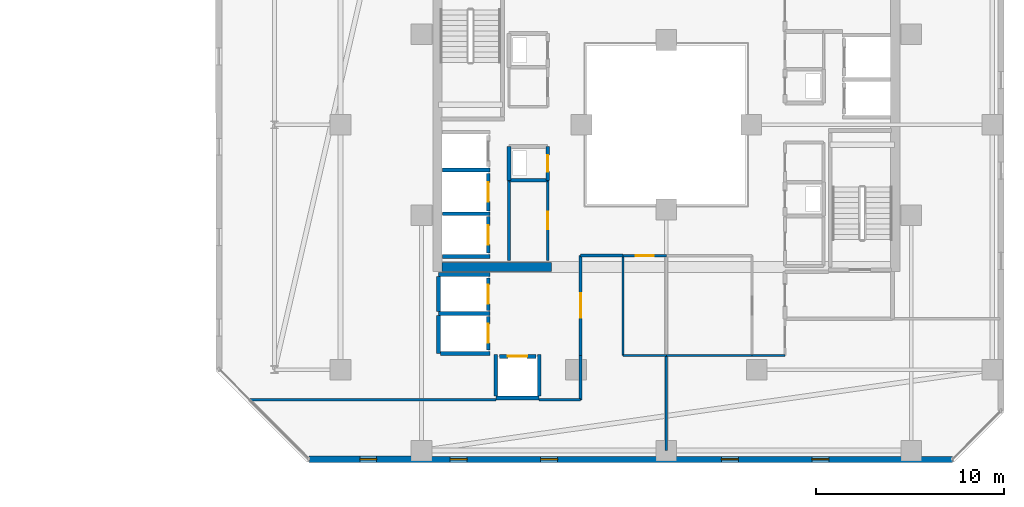
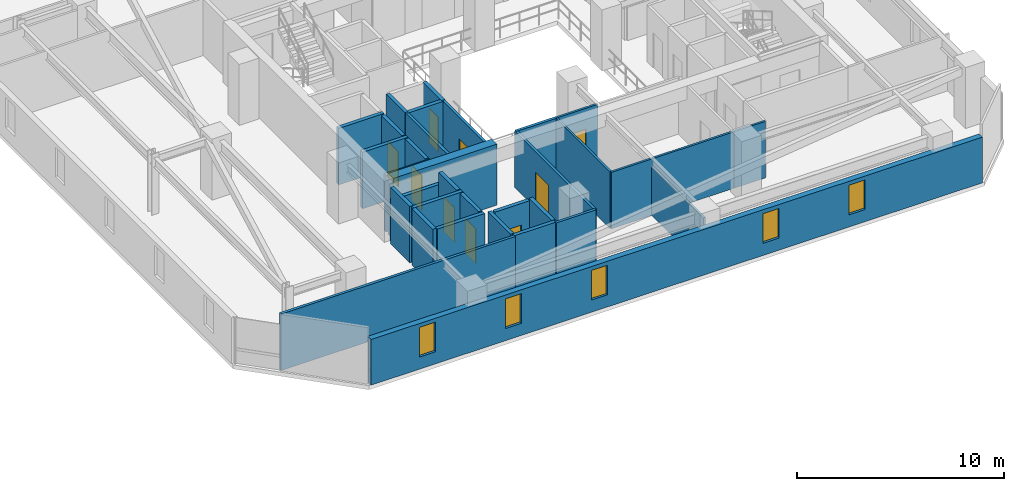
# One storey, part 23 of 33: 34 walls, 9 doors, 5 windows, 14 openings.
"""IFC4 building model written with IfcOpenShell, lengths in metres."""

from ifc_helpers import new_model, si_unit, direction, frame, frame_2d, origin, place, context, subcontext, project, spatial, rectangle, extrude, material, layer, layer_set, type_object, element, fill, save


model = new_model("IFC4")

# Units and contexts
model_context = context("Model", 3, precision=1e-05, world=origin(), true_north=direction((0.0, 1.0)))
body_context = subcontext(model_context, "Body", "Model", "MODEL_VIEW")
ifc_project = project(units=[si_unit("LENGTHUNIT", "METRE"), si_unit("AREAUNIT", "SQUARE_METRE"), si_unit("VOLUMEUNIT", "CUBIC_METRE"), si_unit("PLANEANGLEUNIT", "RADIAN"), si_unit("MASSUNIT", "GRAM", prefix="KILO")], contexts=[model_context])

# Site, building, storey
site_placement = place(None, origin())
site = spatial("IfcSite", under=ifc_project, at=site_placement, CompositionType="ELEMENT")
building_placement = place(site_placement, origin())
building = spatial("IfcBuilding", under=site, at=building_placement, Name="Thornwick Lancets Civic Towers", CompositionType="ELEMENT")
storey_placement = place(building_placement, frame((0.0, 0.0, 192.89990234375)))
storey = spatial("IfcBuildingStorey", under=building, at=storey_placement, Name="L51", CompositionType="ELEMENT", Elevation=192.89990234375)

# Wall, opening, door
ifc_material_1 = material(Name="Concrete blockwork C40/50", Category="masonry")
ifc_layer_1 = layer(ifc_material_1, 0.199951171875, Name="Concrete blockwork C40/50")
ifc_layer_set_1 = layer_set([ifc_layer_1], Name="Concrete blockwork C40/50")
wall_type_1 = type_object("IfcWallType", Name="WALL_COMP_200", PredefinedType="STANDARD", material=ifc_layer_set_1)
wall_1_placement = place(storey_placement, frame((79.050048828125, 22.429931640625, 0.0), z_axis=(0.0, 0.0, 1.0), x_axis=(0.0, 1.0, 0.0)))
wall_1 = element("IfcWall", 1, at=wall_1_placement, inside=storey, type_object=wall_type_1, Name="L51 Hoistway Front Wall PL-BH2", PredefinedType="STANDARD", context=body_context, shape_type="SweptSolid", body=[
    extrude(rectangle(XDim=1.989990234375, YDim=0.199951171875, at=frame_2d((0.9951171875, 0.0))), origin(), (0.0, 0.0, 1.0), 3.340087890625),
])
opening_1_placement = place(wall_1_placement, frame((0.485107421875, 0.0, 0.0)))
opening_1 = element("IfcOpeningElement", 2, at=opening_1_placement, cuts=wall_1, Name="Opening LD-PL-BH2", PredefinedType="OPENING", context=body_context, shape_type="SweptSolid", body=[
    extrude(rectangle(XDim=1.02001953125, YDim=2.06005859375, at=frame_2d((0.510009765625, 1.030029296875))), frame((0.0, 0.10986328125, 0.0), z_axis=(0.0, -1.0, 0.0), x_axis=(1.0, 0.0, 0.0)), (0.0, 0.0, 1.0), 0.219970703125),
])
ifc_material_2 = material(Name="Brushed bronze stainless steel", Category="steel")
door_type_1 = type_object("IfcDoorType", Name="DOOR_LIFT_SLIDE", OperationType="SLIDING_TO_LEFT", PredefinedType="DOOR", material=ifc_material_2)
door_1_placement = place(opening_1_placement, origin())
door_1 = element("IfcDoor", 3, at=door_1_placement, inside=storey, type_object=door_type_1, Name="L51 Sliding Lift Landing Door LD-PL-BH2", OperationType="SLIDING_TO_LEFT", OverallHeight=2.06005859375, OverallWidth=1.02001953125, PredefinedType="DOOR", context=body_context, shape_type="SweptSolid", body=[
    extrude(rectangle(XDim=1.02001953125, YDim=2.06005859375, at=frame_2d((0.510009765625, 1.030029296875))), frame((0.0, 0.02490234375, 0.0), z_axis=(0.0, -1.0, 0.0), x_axis=(1.0, 0.0, 0.0)), (0.0, 0.0, 1.0), 0.050048828125),
])
fill(opening_1, door_1)

wall_2_placement = place(storey_placement, frame((79.050048828125, 20.179931640625, 0.0), z_axis=(0.0, 0.0, 1.0), x_axis=(0.0, 1.0, 0.0)))
wall_2 = element("IfcWall", 4, at=wall_2_placement, inside=storey, type_object=wall_type_1, Name="L51 Hoistway Front Wall PL-BH3", PredefinedType="STANDARD", context=body_context, shape_type="SweptSolid", body=[
    extrude(rectangle(XDim=1.940185546875, YDim=0.199951171875, at=frame_2d((0.97021484375, 0.0))), origin(), (0.0, 0.0, 1.0), 3.340087890625),
])
opening_2_placement = place(wall_2_placement, frame((0.4599609375, 0.0, 0.0)))
opening_2 = element("IfcOpeningElement", 5, at=opening_2_placement, cuts=wall_2, Name="Opening LD-PL-BH3", PredefinedType="OPENING", context=body_context, shape_type="SweptSolid", body=[
    extrude(rectangle(XDim=1.02001953125, YDim=2.06005859375, at=frame_2d((0.510009765625, 1.030029296875))), frame((0.0, 0.10986328125, 0.0), z_axis=(0.0, -1.0, 0.0), x_axis=(1.0, 0.0, 0.0)), (0.0, 0.0, 1.0), 0.219970703125),
])
door_2_placement = place(opening_2_placement, origin())
door_2 = element("IfcDoor", 6, at=door_2_placement, inside=storey, type_object=door_type_1, Name="L51 Sliding Lift Landing Door LD-PL-BH3", OperationType="SLIDING_TO_LEFT", OverallHeight=2.06005859375, OverallWidth=1.02001953125, PredefinedType="DOOR", context=body_context, shape_type="SweptSolid", body=[
    extrude(rectangle(XDim=1.02001953125, YDim=2.06005859375, at=frame_2d((0.510009765625, 1.030029296875))), frame((0.0, 0.02490234375, 0.0), z_axis=(0.0, -1.0, 0.0), x_axis=(1.0, 0.0, 0.0)), (0.0, 0.0, 1.0), 0.050048828125),
])
fill(opening_2, door_2)

wall_3_placement = place(storey_placement, frame((79.050048828125, 17.1298828125, 0.0), z_axis=(0.0, 0.0, 1.0), x_axis=(0.0, 1.0, 0.0)))
wall_3 = element("IfcWall", 7, at=wall_3_placement, inside=storey, type_object=wall_type_1, Name="L51 Hoistway Front Wall PL-BM1", PredefinedType="STANDARD", context=body_context, shape_type="SweptSolid", body=[
    extrude(rectangle(XDim=1.740234375, YDim=0.199951171875, at=frame_2d((0.8701171875, 0.0))), origin(), (0.0, 0.0, 1.0), 3.340087890625),
])
opening_3_placement = place(wall_3_placement, frame((0.360107421875, 0.0, 0.0)))
opening_3 = element("IfcOpeningElement", 8, at=opening_3_placement, cuts=wall_3, Name="Opening LD-PL-BM1", PredefinedType="OPENING", context=body_context, shape_type="SweptSolid", body=[
    extrude(rectangle(XDim=1.02001953125, YDim=2.06005859375, at=frame_2d((0.510009765625, 1.030029296875))), frame((0.0, 0.10986328125, 0.0), z_axis=(0.0, -1.0, 0.0), x_axis=(1.0, 0.0, 0.0)), (0.0, 0.0, 1.0), 0.219970703125),
])
door_3_placement = place(opening_3_placement, origin())
door_3 = element("IfcDoor", 9, at=door_3_placement, inside=storey, type_object=door_type_1, Name="L51 Sliding Lift Landing Door LD-PL-BM1", OperationType="SLIDING_TO_LEFT", OverallHeight=2.06005859375, OverallWidth=1.02001953125, PredefinedType="DOOR", context=body_context, shape_type="SweptSolid", body=[
    extrude(rectangle(XDim=1.02001953125, YDim=2.06005859375, at=frame_2d((0.510009765625, 1.030029296875))), frame((0.0, 0.02490234375, 0.0), z_axis=(0.0, -1.0, 0.0), x_axis=(1.0, 0.0, 0.0)), (0.0, 0.0, 1.0), 0.050048828125),
])
fill(opening_3, door_3)

wall_4_placement = place(storey_placement, frame((79.050048828125, 15.030029296875, 0.0), z_axis=(0.0, 0.0, 1.0), x_axis=(0.0, 1.0, 0.0)))
wall_4 = element("IfcWall", 10, at=wall_4_placement, inside=storey, type_object=wall_type_1, Name="L51 Hoistway Front Wall PL-BM2", PredefinedType="STANDARD", context=body_context, shape_type="SweptSolid", body=[
    extrude(rectangle(XDim=1.7900390625, YDim=0.199951171875, at=frame_2d((0.89501953125, 0.0))), origin(), (0.0, 0.0, 1.0), 3.340087890625),
])
opening_4_placement = place(wall_4_placement, frame((0.385009765625, 0.0, 0.0)))
opening_4 = element("IfcOpeningElement", 11, at=opening_4_placement, cuts=wall_4, Name="Opening LD-PL-BM2", PredefinedType="OPENING", context=body_context, shape_type="SweptSolid", body=[
    extrude(rectangle(XDim=1.02001953125, YDim=2.06005859375, at=frame_2d((0.510009765625, 1.030029296875))), frame((0.0, 0.10986328125, 0.0), z_axis=(0.0, -1.0, 0.0), x_axis=(1.0, 0.0, 0.0)), (0.0, 0.0, 1.0), 0.219970703125),
])
door_4_placement = place(opening_4_placement, origin())
door_4 = element("IfcDoor", 12, at=door_4_placement, inside=storey, type_object=door_type_1, Name="L51 Sliding Lift Landing Door LD-PL-BM2", OperationType="SLIDING_TO_LEFT", OverallHeight=2.06005859375, OverallWidth=1.02001953125, PredefinedType="DOOR", context=body_context, shape_type="SweptSolid", body=[
    extrude(rectangle(XDim=1.02001953125, YDim=2.06005859375, at=frame_2d((0.510009765625, 1.030029296875))), frame((0.0, 0.02490234375, 0.0), z_axis=(0.0, -1.0, 0.0), x_axis=(1.0, 0.0, 0.0)), (0.0, 0.0, 1.0), 0.050048828125),
])
fill(opening_4, door_4)

wall_5_placement = place(storey_placement, frame((79.6298828125, 14.699951171875, 0.0), z_axis=(0.0, 0.0, 1.0), x_axis=(1.0, 0.0, 0.0)))
wall_5 = element("IfcWall", 13, at=wall_5_placement, inside=storey, type_object=wall_type_1, Name="L51 Hoistway Front Wall PL-BM3", PredefinedType="STANDARD", context=body_context, shape_type="SweptSolid", body=[
    extrude(rectangle(XDim=1.940185546875, YDim=0.199951171875, at=frame_2d((0.97021484375, 0.0))), origin(), (0.0, 0.0, 1.0), 3.340087890625),
])
opening_5_placement = place(wall_5_placement, frame((0.4599609375, 0.0, 0.0)))
opening_5 = element("IfcOpeningElement", 14, at=opening_5_placement, cuts=wall_5, Name="Opening LD-PL-BM3", PredefinedType="OPENING", context=body_context, shape_type="SweptSolid", body=[
    extrude(rectangle(XDim=1.02001953125, YDim=2.06005859375, at=frame_2d((0.510009765625, 1.030029296875))), frame((0.0, 0.10986328125, 0.0), z_axis=(0.0, -1.0, 0.0), x_axis=(1.0, 0.0, 0.0)), (0.0, 0.0, 1.0), 0.219970703125),
])
door_5_placement = place(opening_5_placement, origin())
door_5 = element("IfcDoor", 15, at=door_5_placement, inside=storey, type_object=door_type_1, Name="L51 Sliding Lift Landing Door LD-PL-BM3", OperationType="SLIDING_TO_LEFT", OverallHeight=2.06005859375, OverallWidth=1.02001953125, PredefinedType="DOOR", context=body_context, shape_type="SweptSolid", body=[
    extrude(rectangle(XDim=1.02001953125, YDim=2.06005859375, at=frame_2d((0.510009765625, 1.030029296875))), frame((0.0, 0.02490234375, 0.0), z_axis=(0.0, -1.0, 0.0), x_axis=(1.0, 0.0, 0.0)), (0.0, 0.0, 1.0), 0.050048828125),
])
fill(opening_5, door_5)

# Walls
for number, where, z_axis, x_axis, name in (
    (16, (76.612060546875, 24.60009765625, 0.0), (0.0, 0.0, 1.0), (1.0, 0.0, 0.0), "L51 Hoistway Shaft Wall FL-B2 S"),
    (17, (76.612060546875, 22.27490234375, 0.0), (0.0, 0.0, 1.0), (1.0, 0.0, 0.0), "L51 Hoistway Shaft Wall PL-BH2 S"),
    (18, (76.612060546875, 20.0, 0.0), (0.0, 0.0, 1.0), (1.0, 0.0, 0.0), "L51 Hoistway Shaft Wall PL-BH3 S"),
):
    element("IfcWall", number, at=place(storey_placement, frame(where, z_axis=z_axis, x_axis=x_axis)), inside=storey, type_object=wall_type_1, Name=name, PredefinedType="STANDARD", context=body_context, shape_type="SweptSolid", body=[
        extrude(rectangle(XDim=2.535888671875, YDim=0.199951171875, at=frame_2d((1.26806640625, 0.0))), origin(), (0.0, 0.0, 1.0), 3.340087890625),
    ])
wall_6_placement = place(storey_placement, frame((76.402099609375, 19.050048828125, 0.0), z_axis=(0.0, 0.0, 1.0), x_axis=(1.0, 0.0, 0.0)))
element("IfcWall", 19, at=wall_6_placement, inside=storey, type_object=wall_type_1, Name="L51 Hoistway Shaft Wall PL-BM1 N", PredefinedType="STANDARD", context=body_context, shape_type="SweptSolid", body=[
    extrude(rectangle(XDim=2.745849609375, YDim=0.199951171875, at=frame_2d((1.373046875, 0.0))), origin(), (0.0, 0.0, 1.0), 2.545166015625),
])
wall_7_placement = place(storey_placement, frame((76.402099609375, 16.97509765625, 0.0), z_axis=(0.0, 0.0, 1.0), x_axis=(1.0, 0.0, 0.0)))
element("IfcWall", 20, at=wall_7_placement, inside=storey, type_object=wall_type_1, Name="L51 Hoistway Shaft Wall PL-BM1 S", PredefinedType="STANDARD", context=body_context, shape_type="SweptSolid", body=[
    extrude(rectangle(XDim=2.745849609375, YDim=0.199951171875, at=frame_2d((1.373046875, 0.0))), origin(), (0.0, 0.0, 1.0), 3.340087890625),
])
wall_8_placement = place(storey_placement, frame((76.39990234375, 14.85205078125, 0.0), z_axis=(0.0, 0.0, 1.0), x_axis=(0.0, 1.0, 0.0)))
element("IfcWall", 21, at=wall_8_placement, inside=storey, type_object=wall_type_1, Name="L51 Hoistway Shaft Wall PL-BM1 W", PredefinedType="STANDARD", context=body_context, shape_type="SweptSolid", body=[
    extrude(rectangle(XDim=2.015869140625, YDim=0.199951171875, at=frame_2d((1.0078125, 0.0))), origin(), (0.0, 0.0, 1.0), 3.340087890625),
])
wall_9_placement = place(storey_placement, frame((76.39990234375, 17.08203125, 0.0), z_axis=(0.0, 0.0, 1.0), x_axis=(0.0, 1.0, 0.0)))
element("IfcWall", 22, at=wall_9_placement, inside=storey, type_object=wall_type_1, Name="L51 Hoistway Shaft Wall PL-BM1 W", PredefinedType="STANDARD", context=body_context, shape_type="SweptSolid", body=[
    extrude(rectangle(XDim=1.85595703125, YDim=0.199951171875, at=frame_2d((0.927978515625, 0.0))), origin(), (0.0, 0.0, 1.0), 3.340087890625),
])
wall_10_placement = place(storey_placement, frame((76.511962890625, 14.85009765625, 0.0), z_axis=(0.0, 0.0, 1.0), x_axis=(1.0, 0.0, 0.0)))
element("IfcWall", 23, at=wall_10_placement, inside=storey, type_object=wall_type_1, Name="L51 Hoistway Shaft Wall PL-BM2 S", PredefinedType="STANDARD", context=body_context, shape_type="SweptSolid", body=[
    extrude(rectangle(XDim=2.635986328125, YDim=0.199951171875, at=frame_2d((1.31787109375, 0.0))), origin(), (0.0, 0.0, 1.0), 3.340087890625),
])
wall_11_placement = place(storey_placement, frame((79.451904296875, 12.5, 0.0), z_axis=(0.0, 0.0, 1.0), x_axis=(1.0, 0.0, 0.0)))
element("IfcWall", 24, at=wall_11_placement, inside=storey, type_object=wall_type_1, Name="L51 Hoistway Shaft Wall PL-BM3 S", PredefinedType="STANDARD", context=body_context, shape_type="SweptSolid", body=[
    extrude(rectangle(XDim=2.296142578125, YDim=0.199951171875, at=frame_2d((1.14794921875, 0.0))), origin(), (0.0, 0.0, 1.0), 3.340087890625),
])
for number, where, z_axis, x_axis, name in (
    (25, (81.75, 12.612060546875, 0.0), (0.0, 0.0, 1.0), (0.0, 1.0, 0.0), "L51 Hoistway Shaft Wall PL-BM3 E"),
    (26, (79.449951171875, 12.612060546875, 0.0), (0.0, 0.0, 1.0), (0.0, 1.0, 0.0), "L51 Hoistway Shaft Wall PL-BM3 W"),
):
    element("IfcWall", number, at=place(storey_placement, frame(where, z_axis=z_axis, x_axis=x_axis)), inside=storey, type_object=wall_type_1, Name=name, PredefinedType="STANDARD", context=body_context, shape_type="SweptSolid", body=[
        extrude(rectangle(XDim=2.18603515625, YDim=0.199951171875, at=frame_2d((1.093017578125, 0.0))), origin(), (0.0, 0.0, 1.0), 3.340087890625),
    ])
wall_12_placement = place(storey_placement, frame((80.14990234375, 24.050048828125, 0.0), z_axis=(0.0, 0.0, 1.0), x_axis=(1.0, 0.0, 0.0)))
element("IfcWall", 27, at=wall_12_placement, inside=storey, type_object=wall_type_1, Name="L51 Partition L51-B-DUCT2 E1", PredefinedType="STANDARD", context=body_context, shape_type="SweptSolid", body=[
    extrude(rectangle(XDim=2.050048828125, YDim=0.199951171875, at=frame_2d((1.02490234375, 0.0))), origin(), (0.0, 0.0, 1.0), 3.340087890625),
])

# Wall, opening, door
wall_13_placement = place(storey_placement, frame((82.199951171875, 24.050048828125, 0.0), z_axis=(0.0, 0.0, 1.0), x_axis=(0.0, 1.0, 0.0)))
wall_13 = element("IfcWall", 28, at=wall_13_placement, inside=storey, type_object=wall_type_1, Name="L51 Partition L51-B-DUCT2 E2", PredefinedType="STANDARD", context=body_context, shape_type="SweptSolid", body=[
    extrude(rectangle(XDim=1.800048828125, YDim=0.199951171875, at=frame_2d((0.89990234375, 0.0))), origin(), (0.0, 0.0, 1.0), 3.340087890625),
])
opening_6_placement = place(wall_13_placement, frame((0.4599609375, 0.0, 0.0)))
opening_6 = element("IfcOpeningElement", 29, at=opening_6_placement, cuts=wall_13, Name="Opening D-L51-2267", PredefinedType="OPENING", context=body_context, shape_type="SweptSolid", body=[
    extrude(rectangle(XDim=0.8798828125, YDim=2.0400390625, at=frame_2d((0.43994140625, 1.02001953125))), frame((0.0, 0.10986328125, 0.0), z_axis=(0.0, -1.0, 0.0), x_axis=(1.0, 0.0, 0.0)), (0.0, 0.0, 1.0), 0.219970703125),
])
ifc_material_3 = material(Name="Steel riser access doorset", Category="steel")
door_type_2 = type_object("IfcDoorType", Name="DOOR_RISER_850", OperationType="NOTDEFINED", PredefinedType="DOOR", material=ifc_material_3)
door_6_placement = place(opening_6_placement, origin())
door_6 = element("IfcDoor", 30, at=door_6_placement, inside=storey, type_object=door_type_2, Name="L51 West Service Duct 2 Door", OperationType="SINGLE_SWING_RIGHT", OverallHeight=2.0400390625, OverallWidth=0.8798828125, PredefinedType="DOOR", context=body_context, shape_type="SweptSolid", body=[
    extrude(rectangle(XDim=0.8798828125, YDim=2.0400390625, at=frame_2d((0.43994140625, 1.02001953125))), frame((0.0, 0.02490234375, 0.0), z_axis=(0.0, -1.0, 0.0), x_axis=(1.0, 0.0, 0.0)), (0.0, 0.0, 1.0), 0.050048828125),
])
fill(opening_6, door_6)

# Walls
wall_14_placement = place(storey_placement, frame((80.14990234375, 25.85009765625, 0.0), z_axis=(0.0, 0.0, 1.0), x_axis=(0.0, -1.0, 0.0)))
element("IfcWall", 31, at=wall_14_placement, inside=storey, type_object=wall_type_1, Name="L51 Partition L51-B-DUCT2 E4", PredefinedType="STANDARD", context=body_context, shape_type="SweptSolid", body=[
    extrude(rectangle(XDim=1.800048828125, YDim=0.199951171875, at=frame_2d((0.89990234375, 0.0))), origin(), (0.0, 0.0, 1.0), 3.340087890625),
])
ifc_material_4 = material(Name="Concrete C50/60", Category="concrete")
ifc_layer_2 = layer(ifc_material_4, 0.5, Name="Concrete C50/60")
ifc_layer_set_2 = layer_set([ifc_layer_2], Name="Concrete C50/60")
wall_type_2 = type_object("IfcWallType", Name="WALL_CORE_500", PredefinedType="SHEAR", material=ifc_layer_set_2)
wall_15_placement = place(storey_placement, frame((76.60009765625, 19.449951171875, 0.0), z_axis=(0.0, 0.0, 1.0), x_axis=(1.0, 0.0, 0.0)))
element("IfcWall", 32, at=wall_15_placement, inside=storey, type_object=wall_type_2, Name="L51 Split Core B2 Shear Wall S", PredefinedType="SHEAR", context=body_context, shape_type="SweptSolid", body=[
    extrude(rectangle(XDim=5.7998046875, YDim=0.5, at=frame_2d((2.89990234375, 0.0))), origin(), (0.0, 0.0, 1.0), 3.60009765625),
])

# Wall, openings, windows
ifc_material_5 = material(Name="Insulated buff terracotta rainscreen on concrete C40/50", Category="masonry")
ifc_layer_3 = layer(ifc_material_5, 0.320068359375, Name="Insulated buff terracotta rainscreen on concrete C40/50")
ifc_layer_set_3 = layer_set([ifc_layer_3], Name="Insulated buff terracotta rainscreen on concrete C40/50")
wall_type_3 = type_object("IfcWallType", Name="WALL_EXT_TERRA_320", PredefinedType="STANDARD", material=ifc_layer_set_3)
wall_16_placement = place(storey_placement, frame((69.52490234375, 9.24267578125, 0.0), z_axis=(0.0, 0.0, 1.0), x_axis=(0.99999997701, -0.000214431216, 0.0)))
wall_16 = element("IfcWall", 33, at=wall_16_placement, inside=storey, type_object=wall_type_3, Name="L51 Tower B Terracotta Facade Wall E0", PredefinedType="STANDARD", context=body_context, shape_type="SweptSolid", body=[
    extrude(rectangle(XDim=34.156494140625, YDim=0.320068359375, at=frame_2d((17.078125, 0.0))), origin(), (0.0, 0.0, 1.0), 2.7001953125),
])
opening_7_placement = place(wall_16_placement, frame((2.699951171875, 0.0, 0.719970703125)))
opening_7 = element("IfcOpeningElement", 34, at=opening_7_placement, cuts=wall_16, Name="Opening WL-01", PredefinedType="OPENING", context=body_context, shape_type="SweptSolid", body=[
    extrude(rectangle(XDim=0.89990234375, YDim=1.75, at=frame_2d((0.449951171875, 0.875))), frame((0.0, 0.169921875, 0.0), z_axis=(0.0, -1.0, 0.0), x_axis=(1.0, 0.0, 0.0)), (0.0, 0.0, 1.0), 0.340087890625),
])
opening_8_placement = place(wall_16_placement, frame((7.5, 0.0, 0.719970703125)))
opening_8 = element("IfcOpeningElement", 35, at=opening_8_placement, cuts=wall_16, Name="Opening WL-01", PredefinedType="OPENING", context=body_context, shape_type="SweptSolid", body=[
    extrude(rectangle(XDim=0.89990234375, YDim=1.75, at=frame_2d((0.449951171875, 0.875))), frame((0.0, 0.169921875, 0.0), z_axis=(0.0, -1.0, 0.0), x_axis=(1.0, 0.0, 0.0)), (0.0, 0.0, 1.0), 0.340087890625),
])
opening_9_placement = place(wall_16_placement, frame((12.300048828125, 0.0, 0.719970703125)))
opening_9 = element("IfcOpeningElement", 36, at=opening_9_placement, cuts=wall_16, Name="Opening WL-01", PredefinedType="OPENING", context=body_context, shape_type="SweptSolid", body=[
    extrude(rectangle(XDim=0.89990234375, YDim=1.75, at=frame_2d((0.449951171875, 0.875))), frame((0.0, 0.169921875, 0.0), z_axis=(0.0, -1.0, 0.0), x_axis=(1.0, 0.0, 0.0)), (0.0, 0.0, 1.0), 0.340087890625),
])
opening_10_placement = place(wall_16_placement, frame((21.89990234375, 0.0, 0.719970703125)))
opening_10 = element("IfcOpeningElement", 37, at=opening_10_placement, cuts=wall_16, Name="Opening WL-01", PredefinedType="OPENING", context=body_context, shape_type="SweptSolid", body=[
    extrude(rectangle(XDim=0.89990234375, YDim=1.75, at=frame_2d((0.449951171875, 0.875))), frame((0.0, 0.169921875, 0.0), z_axis=(0.0, -1.0, 0.0), x_axis=(1.0, 0.0, 0.0)), (0.0, 0.0, 1.0), 0.340087890625),
])
opening_11_placement = place(wall_16_placement, frame((26.699951171875, 0.0, 0.719970703125)))
opening_11 = element("IfcOpeningElement", 38, at=opening_11_placement, cuts=wall_16, Name="Opening WL-01", PredefinedType="OPENING", context=body_context, shape_type="SweptSolid", body=[
    extrude(rectangle(XDim=0.89990234375, YDim=1.75, at=frame_2d((0.449951171875, 0.875))), frame((0.0, 0.169921875, 0.0), z_axis=(0.0, -1.0, 0.0), x_axis=(1.0, 0.0, 0.0)), (0.0, 0.0, 1.0), 0.340087890625),
])
ifc_material_6 = material(Name="Clear low-e double glazing in bronze frame", Category="glass")
window_type = type_object("IfcWindowType", Name="WIN_LANCET_900", PartitioningType="SINGLE_PANEL", PredefinedType="WINDOW", material=ifc_material_6)
window_1_placement = place(opening_7_placement, origin())
window_1 = element("IfcWindow", 39, at=window_1_placement, inside=storey, type_object=window_type, Name="L51 Tower B Staggered Lancet Window E0-1", OverallHeight=1.75, OverallWidth=0.89990234375, PartitioningType="SINGLE_PANEL", PredefinedType="WINDOW", context=body_context, shape_type="SweptSolid", body=[
    extrude(rectangle(XDim=0.89990234375, YDim=1.75, at=frame_2d((0.449951171875, 0.875))), frame((0.0, 0.030029296875, 0.0), z_axis=(0.0, -1.0, 0.0), x_axis=(1.0, 0.0, 0.0)), (0.0, 0.0, 1.0), 0.06005859375),
])
fill(opening_7, window_1)
window_2_placement = place(opening_8_placement, origin())
window_2 = element("IfcWindow", 40, at=window_2_placement, inside=storey, type_object=window_type, Name="L51 Tower B Staggered Lancet Window E0-2", OverallHeight=1.75, OverallWidth=0.89990234375, PartitioningType="SINGLE_PANEL", PredefinedType="WINDOW", context=body_context, shape_type="SweptSolid", body=[
    extrude(rectangle(XDim=0.89990234375, YDim=1.75, at=frame_2d((0.449951171875, 0.875))), frame((0.0, 0.030029296875, 0.0), z_axis=(0.0, -1.0, 0.0), x_axis=(1.0, 0.0, 0.0)), (0.0, 0.0, 1.0), 0.06005859375),
])
fill(opening_8, window_2)
window_3_placement = place(opening_9_placement, origin())
window_3 = element("IfcWindow", 41, at=window_3_placement, inside=storey, type_object=window_type, Name="L51 Tower B Staggered Lancet Window E0-3", OverallHeight=1.75, OverallWidth=0.89990234375, PartitioningType="SINGLE_PANEL", PredefinedType="WINDOW", context=body_context, shape_type="SweptSolid", body=[
    extrude(rectangle(XDim=0.89990234375, YDim=1.75, at=frame_2d((0.449951171875, 0.875))), frame((0.0, 0.030029296875, 0.0), z_axis=(0.0, -1.0, 0.0), x_axis=(1.0, 0.0, 0.0)), (0.0, 0.0, 1.0), 0.06005859375),
])
fill(opening_9, window_3)
window_4_placement = place(opening_10_placement, origin())
window_4 = element("IfcWindow", 42, at=window_4_placement, inside=storey, type_object=window_type, Name="L51 Tower B Staggered Lancet Window E0-4", OverallHeight=1.75, OverallWidth=0.89990234375, PartitioningType="SINGLE_PANEL", PredefinedType="WINDOW", context=body_context, shape_type="SweptSolid", body=[
    extrude(rectangle(XDim=0.89990234375, YDim=1.75, at=frame_2d((0.449951171875, 0.875))), frame((0.0, 0.030029296875, 0.0), z_axis=(0.0, -1.0, 0.0), x_axis=(1.0, 0.0, 0.0)), (0.0, 0.0, 1.0), 0.06005859375),
])
fill(opening_10, window_4)
window_5_placement = place(opening_11_placement, origin())
window_5 = element("IfcWindow", 43, at=window_5_placement, inside=storey, type_object=window_type, Name="L51 Tower B Staggered Lancet Window E0-5", OverallHeight=1.75, OverallWidth=0.89990234375, PartitioningType="SINGLE_PANEL", PredefinedType="WINDOW", context=body_context, shape_type="SweptSolid", body=[
    extrude(rectangle(XDim=0.89990234375, YDim=1.75, at=frame_2d((0.449951171875, 0.875))), frame((0.0, 0.030029296875, 0.0), z_axis=(0.0, -1.0, 0.0), x_axis=(1.0, 0.0, 0.0)), (0.0, 0.0, 1.0), 0.06005859375),
])
fill(opening_11, window_5)

# Walls
ifc_material_7 = material(Name="Acoustic gypsum board partition")
ifc_layer_4 = layer(ifc_material_7, 0.1201171875, Name="Acoustic gypsum board partition")
ifc_layer_set_4 = layer_set([ifc_layer_4], Name="Acoustic gypsum board partition")
wall_type_4 = type_object("IfcWallType", Name="WALL_PART_120", PredefinedType="PARTITIONING", material=ifc_layer_set_4)
wall_17_placement = place(storey_placement, frame((88.5, 9.699951171875, 0.0), z_axis=(0.0, 0.0, 1.0), x_axis=(0.0, 1.0, 0.0)))
element("IfcWall", 44, at=wall_17_placement, inside=storey, type_object=wall_type_4, Name="L51 Partition L51-B-W1 E8", PredefinedType="PARTITIONING", context=body_context, shape_type="SweptSolid", body=[
    extrude(rectangle(XDim=5.050048828125, YDim=0.1201171875, at=frame_2d((2.52490234375, 0.0))), origin(), (0.0, 0.0, 1.0), 2.881591796875),
])
wall_18_placement = place(storey_placement, frame((88.5, 14.75, 0.0), z_axis=(0.0, 0.0, 1.0), x_axis=(1.0, 0.0, 0.0)))
element("IfcWall", 45, at=wall_18_placement, inside=storey, type_object=wall_type_4, Name="L51 Partition L51-B-W1 E9", PredefinedType="PARTITIONING", context=body_context, shape_type="SweptSolid", body=[
    extrude(rectangle(XDim=4.550048828125, YDim=0.1201171875, at=frame_2d((2.27490234375, 0.0))), origin(), (0.0, 0.0, 1.0), 3.340087890625),
])
wall_19_placement = place(storey_placement, frame((93.050048828125, 14.75, 0.0), z_axis=(0.0, 0.0, 1.0), x_axis=(1.0, 0.0, 0.0)))
element("IfcWall", 46, at=wall_19_placement, inside=storey, type_object=wall_type_4, Name="L51 Partition L51-B-W1 E10", PredefinedType="PARTITIONING", context=body_context, shape_type="SweptSolid", body=[
    extrude(rectangle(XDim=1.75, YDim=0.1201171875, at=frame_2d((0.875, 0.0))), origin(), (0.0, 0.0, 1.0), 3.340087890625),
])
wall_20_placement = place(storey_placement, frame((86.199951171875, 14.75, 0.0), z_axis=(0.0, 0.0, 1.0), x_axis=(0.0, 1.0, 0.0)))
element("IfcWall", 47, at=wall_20_placement, inside=storey, type_object=wall_type_4, Name="L51 Partition L51-B-W3 E1", PredefinedType="PARTITIONING", context=body_context, shape_type="SweptSolid", body=[
    extrude(rectangle(XDim=5.300048828125, YDim=0.1201171875, at=frame_2d((2.64990234375, 0.0))), origin(), (0.0, 0.0, 1.0), 3.340087890625),
])

# Wall, opening, door
wall_21_placement = place(storey_placement, frame((86.199951171875, 20.050048828125, 0.0), z_axis=(0.0, 0.0, 1.0), x_axis=(1.0, 0.0, 0.0)))
wall_21 = element("IfcWall", 48, at=wall_21_placement, inside=storey, type_object=wall_type_4, Name="L51 Partition L51-B-W3 E2", PredefinedType="PARTITIONING", context=body_context, shape_type="SweptSolid", body=[
    extrude(rectangle(XDim=2.300048828125, YDim=0.1201171875, at=frame_2d((1.14990234375, 0.0))), origin(), (0.0, 0.0, 1.0), 3.340087890625),
])
opening_12_placement = place(wall_21_placement, frame((0.675048828125, 0.0, 0.0)))
opening_12 = element("IfcOpeningElement", 49, at=opening_12_placement, cuts=wall_21, Name="Opening D-L51-2289", PredefinedType="OPENING", context=body_context, shape_type="SweptSolid", body=[
    extrude(rectangle(XDim=0.949951171875, YDim=2.10009765625, at=frame_2d((0.47509765625, 1.050048828125))), frame((0.0, 0.070068359375, 0.0), z_axis=(0.0, -1.0, 0.0), x_axis=(1.0, 0.0, 0.0)), (0.0, 0.0, 1.0), 0.14013671875),
])
ifc_material_8 = material(Name="European oak acoustic doorset")
door_type_3 = type_object("IfcDoorType", Name="DOOR_OFFICE_950", OperationType="NOTDEFINED", PredefinedType="DOOR", material=ifc_material_8)
door_7_placement = place(opening_12_placement, origin())
door_7 = element("IfcDoor", 50, at=door_7_placement, inside=storey, type_object=door_type_3, Name="L51 Tower B Staff Tea Pantry and Lounge Door", OperationType="SINGLE_SWING_RIGHT", OverallHeight=2.10009765625, OverallWidth=0.949951171875, PredefinedType="DOOR", context=body_context, shape_type="SweptSolid", body=[
    extrude(rectangle(XDim=0.949951171875, YDim=2.10009765625, at=frame_2d((0.47509765625, 1.050048828125))), frame((0.0, 0.02490234375, 0.0), z_axis=(0.0, -1.0, 0.0), x_axis=(1.0, 0.0, 0.0)), (0.0, 0.0, 1.0), 0.050048828125),
])
fill(opening_12, door_7)

# Walls
wall_22_placement = place(storey_placement, frame((88.5, 14.75, 0.0), z_axis=(0.0, 0.0, 1.0), x_axis=(-1.0, 0.0, 0.0)))
element("IfcWall", 51, at=wall_22_placement, inside=storey, type_object=wall_type_4, Name="L51 Partition L51-B-W3 E4", PredefinedType="PARTITIONING", context=body_context, shape_type="SweptSolid", body=[
    extrude(rectangle(XDim=2.300048828125, YDim=0.1201171875, at=frame_2d((1.14990234375, 0.0))), origin(), (0.0, 0.0, 1.0), 3.340087890625),
])
ifc_material_9 = material(Name="Twin-stud acoustic gypsum board")
ifc_layer_5 = layer(ifc_material_9, 0.14990234375, Name="Twin-stud acoustic gypsum board")
ifc_layer_set_5 = layer_set([ifc_layer_5], Name="Twin-stud acoustic gypsum board")
wall_type_5 = type_object("IfcWallType", Name="WALL_PART_150", PredefinedType="PARTITIONING", material=ifc_layer_set_5)
wall_23_placement = place(storey_placement, frame((80.14990234375, 19.800048828125, 0.0), z_axis=(0.0, 0.0, 1.0), x_axis=(0.0, 1.0, 0.0)))
element("IfcWall", 52, at=wall_23_placement, inside=storey, type_object=wall_type_5, Name="L51 Partition L51-B-FWC E2", PredefinedType="PARTITIONING", context=body_context, shape_type="SweptSolid", body=[
    extrude(rectangle(XDim=4.25, YDim=0.14990234375, at=frame_2d((2.125, 0.0))), origin(), (0.0, 0.0, 1.0), 3.340087890625),
])

# Wall, opening, door
wall_24_placement = place(storey_placement, frame((82.199951171875, 24.050048828125, 0.0), z_axis=(0.0, 0.0, 1.0), x_axis=(0.0, -1.0, 0.0)))
wall_24 = element("IfcWall", 53, at=wall_24_placement, inside=storey, type_object=wall_type_5, Name="L51 Partition L51-B-FWC E4", PredefinedType="PARTITIONING", context=body_context, shape_type="SweptSolid", body=[
    extrude(rectangle(XDim=4.25, YDim=0.14990234375, at=frame_2d((2.125, 0.0))), origin(), (0.0, 0.0, 1.0), 3.340087890625),
])
opening_13_placement = place(wall_24_placement, frame((1.6650390625, 0.0, 0.0)))
opening_13 = element("IfcOpeningElement", 54, at=opening_13_placement, cuts=wall_24, Name="Opening D-L51-2273", PredefinedType="OPENING", context=body_context, shape_type="SweptSolid", body=[
    extrude(rectangle(XDim=0.919921875, YDim=2.080078125, at=frame_2d((0.4599609375, 1.0400390625))), frame((0.0, 0.0849609375, 0.0), z_axis=(0.0, -1.0, 0.0), x_axis=(1.0, 0.0, 0.0)), (0.0, 0.0, 1.0), 0.169921875),
])
ifc_material_10 = material(Name="Moisture-resistant oak doorset")
door_type_4 = type_object("IfcDoorType", Name="DOOR_WC_900", OperationType="NOTDEFINED", PredefinedType="DOOR", material=ifc_material_10)
door_8_placement = place(opening_13_placement, origin())
door_8 = element("IfcDoor", 55, at=door_8_placement, inside=storey, type_object=door_type_4, Name="L51 Tower B Female WC Door", OperationType="SINGLE_SWING_RIGHT", OverallHeight=2.080078125, OverallWidth=0.919921875, PredefinedType="DOOR", context=body_context, shape_type="SweptSolid", body=[
    extrude(rectangle(XDim=0.919921875, YDim=2.080078125, at=frame_2d((0.4599609375, 1.0400390625))), frame((0.0, 0.02490234375, 0.0), z_axis=(0.0, -1.0, 0.0), x_axis=(1.0, 0.0, 0.0)), (0.0, 0.0, 1.0), 0.050048828125),
])
fill(opening_13, door_8)

wall_25_placement = place(storey_placement, frame((83.949951171875, 14.75, 0.0), z_axis=(0.0, 0.0, 1.0), x_axis=(0.0, 1.0, 0.0)))
wall_25 = element("IfcWall", 56, at=wall_25_placement, inside=storey, type_object=wall_type_5, Name="L51 Partition L51-B-W4 E1", PredefinedType="PARTITIONING", context=body_context, shape_type="SweptSolid", body=[
    extrude(rectangle(XDim=5.300048828125, YDim=0.14990234375, at=frame_2d((2.64990234375, 0.0))), origin(), (0.0, 0.0, 1.0), 3.340087890625),
])
opening_14_placement = place(wall_25_placement, frame((2.0, 0.0, 0.0)))
opening_14 = element("IfcOpeningElement", 57, at=opening_14_placement, cuts=wall_25, Name="Opening D-L51-2290", PredefinedType="OPENING", context=body_context, shape_type="SweptSolid", body=[
    extrude(rectangle(XDim=1.300048828125, YDim=2.1201171875, at=frame_2d((0.64990234375, 1.06005859375))), frame((0.0, 0.0849609375, 0.0), z_axis=(0.0, -1.0, 0.0), x_axis=(1.0, 0.0, 0.0)), (0.0, 0.0, 1.0), 0.169921875),
])
ifc_material_11 = material(Name="Acoustic oak leaf-and-a-half doorset")
door_type_5 = type_object("IfcDoorType", Name="DOOR_MEET_1300", OperationType="DOUBLE_DOOR_SINGLE_SWING", PredefinedType="DOOR", material=ifc_material_11)
door_9_placement = place(opening_14_placement, origin())
door_9 = element("IfcDoor", 58, at=door_9_placement, inside=storey, type_object=door_type_5, Name="L51 Tower B Policy Briefing Room W4 Door", OperationType="DOUBLE_DOOR_SINGLE_SWING", OverallHeight=2.1201171875, OverallWidth=1.300048828125, PredefinedType="DOOR", context=body_context, shape_type="SweptSolid", body=[
    extrude(rectangle(XDim=1.300048828125, YDim=2.1201171875, at=frame_2d((0.64990234375, 1.06005859375))), frame((0.0, 0.02490234375, 0.0), z_axis=(0.0, -1.0, 0.0), x_axis=(1.0, 0.0, 0.0)), (0.0, 0.0, 1.0), 0.050048828125),
])
fill(opening_14, door_9)

# Walls
wall_26_placement = place(storey_placement, frame((83.949951171875, 20.050048828125, 0.0), z_axis=(0.0, 0.0, 1.0), x_axis=(1.0, 0.0, 0.0)))
element("IfcWall", 59, at=wall_26_placement, inside=storey, type_object=wall_type_5, Name="L51 Partition L51-B-W4 E2", PredefinedType="PARTITIONING", context=body_context, shape_type="SweptSolid", body=[
    extrude(rectangle(XDim=2.25, YDim=0.14990234375, at=frame_2d((1.125, 0.0))), origin(), (0.0, 0.0, 1.0), 3.340087890625),
])
wall_27_placement = place(storey_placement, frame((66.36962890625, 12.39990234375, 0.0), z_axis=(0.0, 0.0, 1.0), x_axis=(1.0, 0.0, 0.0)))
element("IfcWall", 60, at=wall_27_placement, inside=storey, type_object=wall_type_5, Name="L51 Partition L51-B-W4 E14", PredefinedType="PARTITIONING", context=body_context, shape_type="SweptSolid", body=[
    extrude(rectangle(XDim=13.082275390625, YDim=0.14990234375, at=frame_2d((6.541015625, 0.0))), origin(), (0.0, 0.0, 1.0), 3.340087890625),
])
wall_28_placement = place(storey_placement, frame((81.748046875, 12.39990234375, 0.0), z_axis=(0.0, 0.0, 1.0), x_axis=(1.0, 0.0, 0.0)))
element("IfcWall", 61, at=wall_28_placement, inside=storey, type_object=wall_type_5, Name="L51 Partition L51-B-W4 E14", PredefinedType="PARTITIONING", context=body_context, shape_type="SweptSolid", body=[
    extrude(rectangle(XDim=2.201904296875, YDim=0.14990234375, at=frame_2d((1.10107421875, 0.0))), origin(), (0.0, 0.0, 1.0), 3.340087890625),
])
wall_29_placement = place(storey_placement, frame((83.949951171875, 12.39990234375, 0.0), z_axis=(0.0, 0.0, 1.0), x_axis=(0.0, 1.0, 0.0)))
element("IfcWall", 62, at=wall_29_placement, inside=storey, type_object=wall_type_5, Name="L51 Partition L51-B-W4 E15", PredefinedType="PARTITIONING", context=body_context, shape_type="SweptSolid", body=[
    extrude(rectangle(XDim=2.35009765625, YDim=0.14990234375, at=frame_2d((1.175048828125, 0.0))), origin(), (0.0, 0.0, 1.0), 3.340087890625),
])

save(model, "model.ifc")
